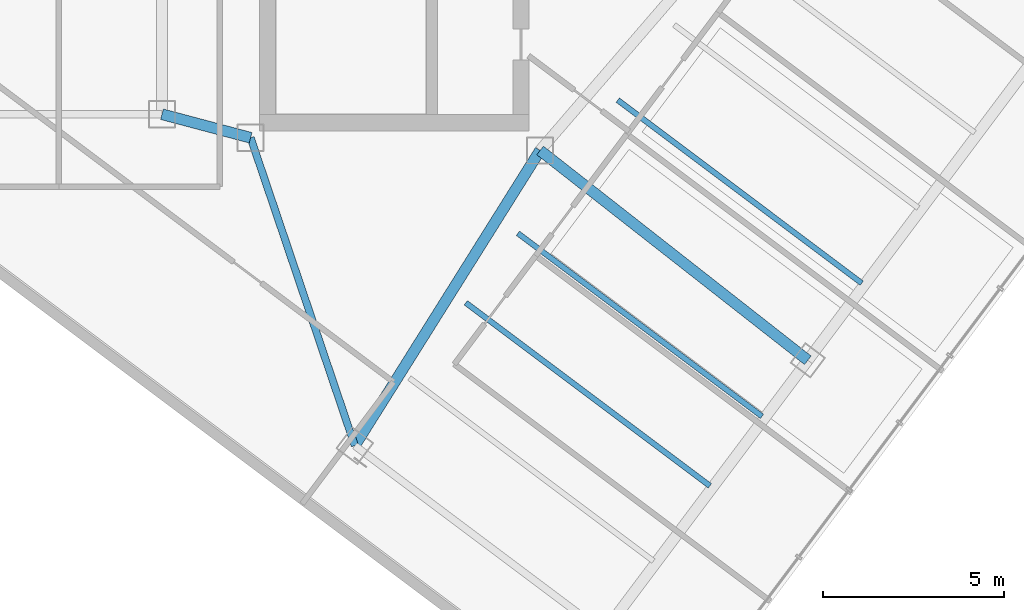
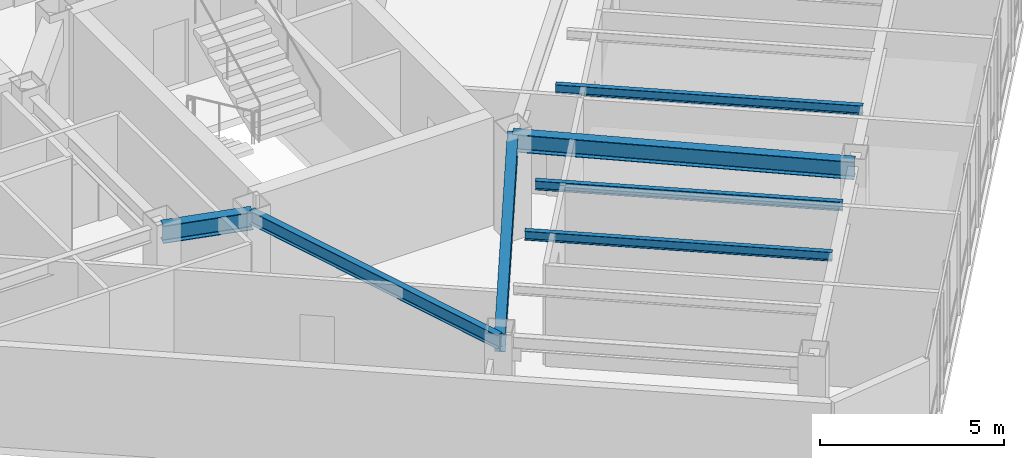
# One storey, part 3 of 26: 7 beams.
"""IFC4 building model written with IfcOpenShell, lengths in metres."""

from ifc_helpers import new_model, si_unit, direction, frame, origin, origin_2d, place, context, subcontext, project, spatial, i_section, extrude, material, material_profile, profile_set, type_object, element, save


model = new_model("IFC4")

# Units and contexts
model_context = context("Model", 3, precision=1e-05, world=origin(), true_north=direction((0.0, 1.0)))
body_context = subcontext(model_context, "Body", "Model", "MODEL_VIEW")
ifc_project = project(units=[si_unit("LENGTHUNIT", "METRE"), si_unit("AREAUNIT", "SQUARE_METRE"), si_unit("VOLUMEUNIT", "CUBIC_METRE"), si_unit("PLANEANGLEUNIT", "RADIAN"), si_unit("MASSUNIT", "GRAM", prefix="KILO")], contexts=[model_context])

# Site, building, storey
site_placement = place(None, origin())
site = spatial("IfcSite", under=ifc_project, at=site_placement, CompositionType="ELEMENT")
building_placement = place(site_placement, origin())
building = spatial("IfcBuilding", under=site, at=building_placement, Name="Hatsunagi Terrace Concourse", CompositionType="ELEMENT")
storey_placement = place(building_placement, frame((0.0, 0.0, 209.550048828125)))
storey = spatial("IfcBuildingStorey", under=building, at=storey_placement, Name="L55", CompositionType="ELEMENT", Elevation=209.550048828125)

# Beams
ifc_material_1 = material(Name="Steel SN490B", Category="steel")
ifc_material_profile_1 = material_profile(ifc_material_1, i_section(OverallWidth=0.300048828125, OverallDepth=0.587890625, WebThickness=0.011962890625, FlangeThickness=0.02001953125, FilletRadius=0.01806640625, at=origin_2d()), Name="H-588x300x12x20")
ifc_profile_set_1 = profile_set([ifc_material_profile_1], Name="Steel SN490B")
beam_type_1 = type_object("IfcBeamType", Name="OfficeHighGirder_H_588x300", PredefinedType="BEAM", material=ifc_profile_set_1)
beam_1_placement = place(storey_placement, frame((33.35009765625, 25.199951171875, 3.055908203125), z_axis=(0.966569840116, -0.256403479262, 0.0), x_axis=(0.256403479262, 0.966569840116, 0.0)))
element("IfcBeam", 1, at=beam_1_placement, inside=storey, type_object=beam_type_1, Name="Beam G-06 BM-L55-K2CB", PredefinedType="BEAM", context=body_context, shape_type="SweptSolid", body=[
    extrude(i_section(OverallWidth=0.300048828125, OverallDepth=0.587890625, WebThickness=0.011962890625, FlangeThickness=0.02001953125, FilletRadius=0.01806640625, at=origin_2d()), origin(), (0.0, 0.0, 1.0), 2.53466796875),
])
beam_2_placement = place(storey_placement, frame((38.679931640625, 16.0400390625, 3.055908203125), z_axis=(0.531503907049, 0.847055840421, 0.0), x_axis=(-0.847055840421, 0.531503907049, 0.0)))
element("IfcBeam", 2, at=beam_2_placement, inside=storey, type_object=beam_type_1, Name="Beam G-06 BM-L55-SET-1A", PredefinedType="BEAM", context=body_context, shape_type="SweptSolid", body=[
    extrude(i_section(OverallWidth=0.300048828125, OverallDepth=0.587890625, WebThickness=0.011962890625, FlangeThickness=0.02001953125, FilletRadius=0.01806640625, at=origin_2d()), origin(), (0.0, 0.0, 1.0), 9.63330078125),
])
beam_3_placement = place(storey_placement, frame((43.800048828125, 24.199951171875, 3.055908203125), z_axis=(0.787049441068, -0.616889923175, 0.0), x_axis=(0.616889923175, 0.787049441068, 0.0)))
element("IfcBeam", 3, at=beam_3_placement, inside=storey, type_object=beam_type_1, Name="Beam G-06 BM-L55-SE-M2", PredefinedType="BEAM", context=body_context, shape_type="SweptSolid", body=[
    extrude(i_section(OverallWidth=0.300048828125, OverallDepth=0.587890625, WebThickness=0.011962890625, FlangeThickness=0.02001953125, FilletRadius=0.01806640625, at=origin_2d()), origin(), (0.0, 0.0, 1.0), 9.402099609375),
])
ifc_material_2 = material(Name="Steel SN490B", Category="steel")
ifc_material_profile_2 = material_profile(ifc_material_2, i_section(OverallWidth=0.14990234375, OverallDepth=0.300048828125, WebThickness=0.006591796875, FlangeThickness=0.009033203125, FilletRadius=0.010986328125, at=origin_2d()), Name="H-300x150x6.5x9")
ifc_profile_set_2 = profile_set([ifc_material_profile_2], Name="Steel SN490B")
beam_type_2 = type_object("IfcBeamType", Name="OfficeJoist_H_300x150", PredefinedType="JOIST", material=ifc_profile_set_2)
for number, where, z_axis, x_axis, name in (
    (4, (41.748046875, 19.989013671875, 3.199951171875), (0.799989573921, -0.600013901187, 0.0), (0.600013901187, 0.799989573921, 0.0), "Beam J-03 J-L55-SE-2-72"),
    (5, (43.18798828125, 21.908935546875, 3.199951171875), (0.800003475366, -0.59999536615, 0.0), (0.59999536615, 0.800003475366, 0.0), "Beam J-03 J-L55-SE-2-96"),
    (6, (45.947998046875, 25.589111328125, 3.199951171875), (0.799989573921, -0.600013901187, 0.0), (0.600013901187, 0.799989573921, 0.0), "Beam J-03 J-L55-SE-2-142"),
):
    element("IfcBeam", number, at=place(storey_placement, frame(where, z_axis=z_axis, x_axis=x_axis)), inside=storey, type_object=beam_type_2, Name=name, PredefinedType="JOIST", context=body_context, shape_type="SweptSolid", body=[
        extrude(i_section(OverallWidth=0.14990234375, OverallDepth=0.300048828125, WebThickness=0.006591796875, FlangeThickness=0.009033203125, FilletRadius=0.010986328125, at=origin_2d()), origin(), (0.0, 0.0, 1.0), 8.429931640625),
    ])
ifc_material_3 = material(Name="Steel SN490B", Category="steel")
ifc_material_profile_3 = material_profile(ifc_material_3, i_section(OverallWidth=0.199951171875, OverallDepth=0.449951171875, WebThickness=0.009033203125, FlangeThickness=0.013916015625, FilletRadius=0.01611328125, at=origin_2d()), Name="H-450x200x9x14")
ifc_profile_set_3 = profile_set([ifc_material_profile_3], Name="Steel SN490B")
beam_type_3 = type_object("IfcBeamType", Name="PerimeterSpandrel_H_450x200", PredefinedType="SPANDREL", material=ifc_profile_set_3)
beam_4_placement = place(storey_placement, frame((35.800048828125, 24.550048828125, 3.125), z_axis=(0.320553412271, -0.947230441805, 0.0), x_axis=(0.947230441805, 0.320553412271, 0.0)))
element("IfcBeam", 7, at=beam_4_placement, inside=storey, type_object=beam_type_3, Name="Beam SP-02 BM-L55-SE-SW0", PredefinedType="SPANDREL", context=body_context, shape_type="SweptSolid", body=[
    extrude(i_section(OverallWidth=0.199951171875, OverallDepth=0.449951171875, WebThickness=0.009033203125, FlangeThickness=0.013916015625, FilletRadius=0.01611328125, at=origin_2d()), origin(), (0.0, 0.0, 1.0), 8.984130859375),
])

save(model, "model.ifc")
